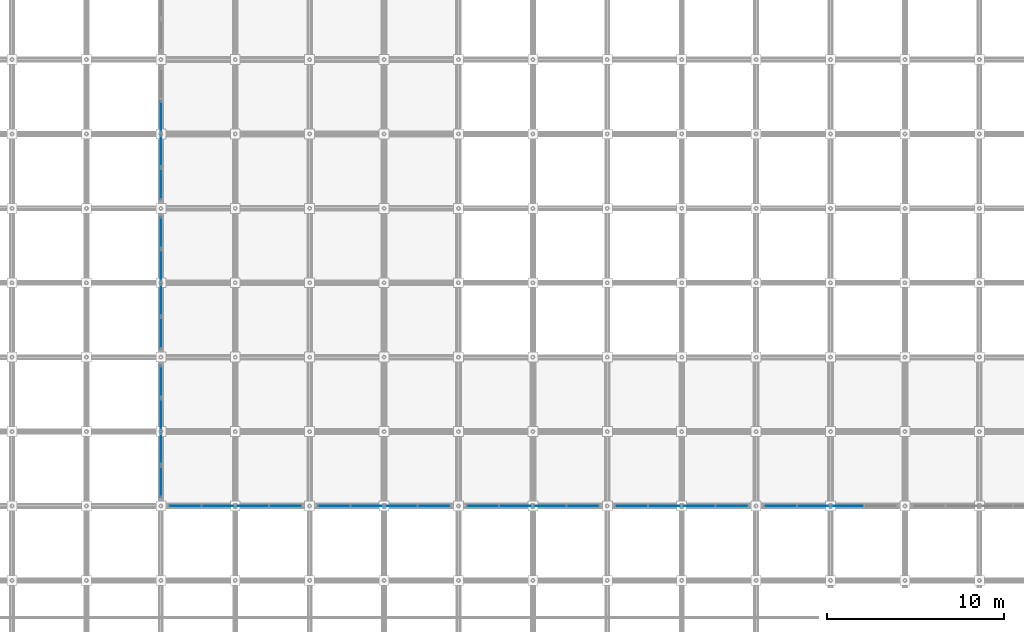
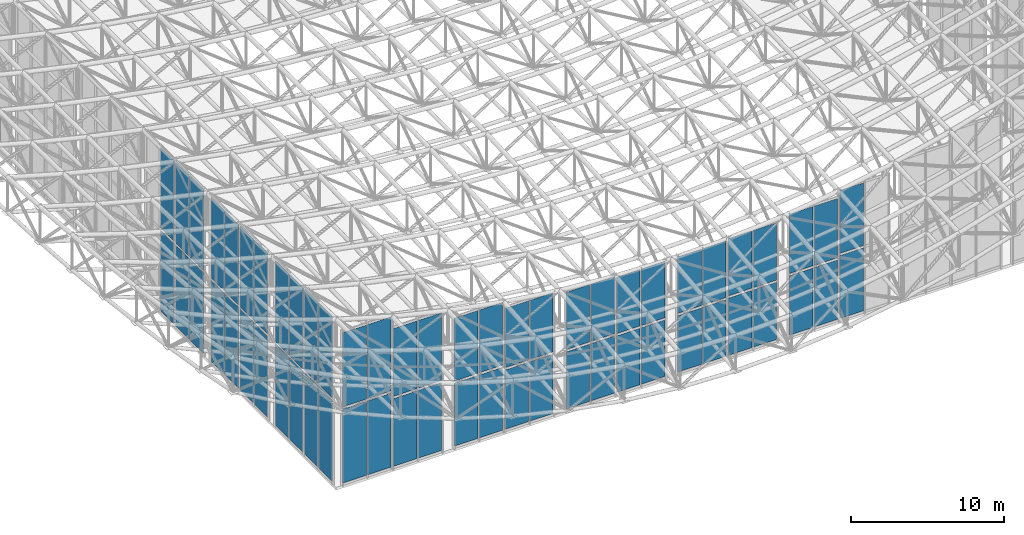
# One storey, part 59 of 93: 60 plates, 16 elements without a shape of their own.
"""IFC4 building model written with IfcOpenShell, lengths in metres."""

from ifc_helpers import new_model, si_unit, direction, frame, origin, origin_2d, place, context, subcontext, project, spatial, rectangle, extrude, material, layer, layer_set, type_object, element, aggregate, save


model = new_model("IFC4")

# Units and contexts
model_context = context("Model", 3, precision=1e-05, world=origin(), true_north=direction((0.0, 1.0)))
body_context = subcontext(model_context, "Body", "Model", "MODEL_VIEW")
ifc_project = project(units=[si_unit("LENGTHUNIT", "METRE"), si_unit("AREAUNIT", "SQUARE_METRE"), si_unit("VOLUMEUNIT", "CUBIC_METRE"), si_unit("PLANEANGLEUNIT", "RADIAN"), si_unit("MASSUNIT", "GRAM", prefix="KILO")], contexts=[model_context])

# Site, building, storey
site_placement = place(None, origin())
site = spatial("IfcSite", under=ifc_project, at=site_placement, CompositionType="ELEMENT")
building_placement = place(site_placement, origin())
building = spatial("IfcBuilding", under=site, at=building_placement, Name="Cumbredor Promenade Congress Hotel", CompositionType="ELEMENT")
storey_placement = place(building_placement, frame((0.0, 0.0, 21.840087890625)))
storey = spatial("IfcBuildingStorey", under=building, at=storey_placement, Name="L06", CompositionType="ELEMENT", Elevation=21.840087890625)

# Curtain wall, plates
ifc_material_1 = material(Name="Thermally broken anodized aluminium and low-E glass", Category="aluminium")
curtain_wall_type = type_object("IfcCurtainWallType", Name="Stepped Pavilion Clerestory Curtain Wall CW-06", PredefinedType="NOTDEFINED", material=ifc_material_1)
curtain_wall_1_placement = place(storey_placement, origin())
curtain_wall_1 = element("IfcCurtainWall", 1, at=curtain_wall_1_placement, inside=storey, type_object=curtain_wall_type, Name="Plenary Congress Hall S Glazed Clerestory 1", PredefinedType="NOTDEFINED")
ifc_material_2 = material(Name="Laminated low-E solar-control glass", Category="glass")
ifc_layer = layer(ifc_material_2, 0.031982421875, Name="Laminated low-E solar-control glass", Category="glass")
ifc_layer_set = layer_set([ifc_layer], Name="Laminated low-E solar-control glass")
plate_type = type_object("IfcPlateType", Name="Clerestory Glazed Vision Panel PNL-07", PredefinedType="CURTAIN_PANEL", material=ifc_layer_set)
plate_1_placement = place(storey_placement, frame((9.77001953125, 8.39990234375, 0.169921875), z_axis=(0.0, 0.0, 1.0), x_axis=(1.0, 0.0, 0.0)))
plate_1 = element("IfcPlate", 2, at=plate_1_placement, type_object=plate_type, Name="Plenary Congress Hall S Glazed Clerestory 1 Glazing Panel 1.1", PredefinedType="CURTAIN_PANEL", context=body_context, shape_type="SweptSolid", body=[
    extrude(rectangle(XDim=1.77490234375, YDim=0.031982421875, at=origin_2d()), origin(), (0.0, 0.0, 1.0), 5.8798828125),
])
plate_2_placement = place(storey_placement, frame((9.77001953125, 8.39990234375, 6.22998046875), z_axis=(0.0, 0.0, 1.0), x_axis=(1.0, 0.0, 0.0)))
plate_2 = element("IfcPlate", 3, at=plate_2_placement, type_object=plate_type, Name="Plenary Congress Hall S Glazed Clerestory 1 Glazing Panel 1.2", PredefinedType="CURTAIN_PANEL", context=body_context, shape_type="SweptSolid", body=[
    extrude(rectangle(XDim=1.77490234375, YDim=0.031982421875, at=origin_2d()), origin(), (0.0, 0.0, 1.0), 5.889892578125),
])
plate_3_placement = place(storey_placement, frame((11.6298828125, 8.39990234375, 0.169921875), z_axis=(0.0, 0.0, 1.0), x_axis=(1.0, 0.0, 0.0)))
plate_3 = element("IfcPlate", 4, at=plate_3_placement, type_object=plate_type, Name="Plenary Congress Hall S Glazed Clerestory 1 Glazing Panel 2.1", PredefinedType="CURTAIN_PANEL", context=body_context, shape_type="SweptSolid", body=[
    extrude(rectangle(XDim=1.77490234375, YDim=0.031982421875, at=origin_2d()), origin(), (0.0, 0.0, 1.0), 5.8798828125),
])
plate_4_placement = place(storey_placement, frame((11.6298828125, 8.39990234375, 6.22998046875), z_axis=(0.0, 0.0, 1.0), x_axis=(1.0, 0.0, 0.0)))
plate_4 = element("IfcPlate", 5, at=plate_4_placement, type_object=plate_type, Name="Plenary Congress Hall S Glazed Clerestory 1 Glazing Panel 2.2", PredefinedType="CURTAIN_PANEL", context=body_context, shape_type="SweptSolid", body=[
    extrude(rectangle(XDim=1.77490234375, YDim=0.031982421875, at=origin_2d()), origin(), (0.0, 0.0, 1.0), 5.889892578125),
])
aggregate(curtain_wall_1, [plate_1, plate_2, plate_3, plate_4])

curtain_wall_2_placement = place(storey_placement, origin())
curtain_wall_2 = element("IfcCurtainWall", 6, at=curtain_wall_2_placement, inside=storey, type_object=curtain_wall_type, Name="Plenary Congress Hall S Glazed Clerestory 2", PredefinedType="NOTDEFINED")
plate_5_placement = place(storey_placement, frame((13.570068359375, 8.39990234375, 0.169921875), z_axis=(0.0, 0.0, 1.0), x_axis=(1.0, 0.0, 0.0)))
plate_5 = element("IfcPlate", 7, at=plate_5_placement, type_object=plate_type, Name="Plenary Congress Hall S Glazed Clerestory 2 Glazing Panel 1.1", PredefinedType="CURTAIN_PANEL", context=body_context, shape_type="SweptSolid", body=[
    extrude(rectangle(XDim=1.77490234375, YDim=0.031982421875, at=origin_2d()), origin(), (0.0, 0.0, 1.0), 5.3798828125),
])
plate_6_placement = place(storey_placement, frame((13.570068359375, 8.39990234375, 5.72998046875), z_axis=(0.0, 0.0, 1.0), x_axis=(1.0, 0.0, 0.0)))
plate_6 = element("IfcPlate", 8, at=plate_6_placement, type_object=plate_type, Name="Plenary Congress Hall S Glazed Clerestory 2 Glazing Panel 1.2", PredefinedType="CURTAIN_PANEL", context=body_context, shape_type="SweptSolid", body=[
    extrude(rectangle(XDim=1.77490234375, YDim=0.031982421875, at=origin_2d()), origin(), (0.0, 0.0, 1.0), 5.389892578125),
])
plate_7_placement = place(storey_placement, frame((15.429931640625, 8.39990234375, 0.169921875), z_axis=(0.0, 0.0, 1.0), x_axis=(1.0, 0.0, 0.0)))
plate_7 = element("IfcPlate", 9, at=plate_7_placement, type_object=plate_type, Name="Plenary Congress Hall S Glazed Clerestory 2 Glazing Panel 2.1", PredefinedType="CURTAIN_PANEL", context=body_context, shape_type="SweptSolid", body=[
    extrude(rectangle(XDim=1.77490234375, YDim=0.031982421875, at=origin_2d()), origin(), (0.0, 0.0, 1.0), 5.3798828125),
])
plate_8_placement = place(storey_placement, frame((15.429931640625, 8.39990234375, 5.72998046875), z_axis=(0.0, 0.0, 1.0), x_axis=(1.0, 0.0, 0.0)))
plate_8 = element("IfcPlate", 10, at=plate_8_placement, type_object=plate_type, Name="Plenary Congress Hall S Glazed Clerestory 2 Glazing Panel 2.2", PredefinedType="CURTAIN_PANEL", context=body_context, shape_type="SweptSolid", body=[
    extrude(rectangle(XDim=1.77490234375, YDim=0.031982421875, at=origin_2d()), origin(), (0.0, 0.0, 1.0), 5.389892578125),
])
aggregate(curtain_wall_2, [plate_5, plate_6, plate_7, plate_8])

curtain_wall_3_placement = place(storey_placement, origin())
curtain_wall_3 = element("IfcCurtainWall", 11, at=curtain_wall_3_placement, inside=storey, type_object=curtain_wall_type, Name="Plenary Congress Hall S Glazed Clerestory 3", PredefinedType="NOTDEFINED")
plate_9_placement = place(storey_placement, frame((18.169921875, 8.39990234375, 0.169921875), z_axis=(0.0, 0.0, 1.0), x_axis=(1.0, 0.0, 0.0)))
plate_9 = element("IfcPlate", 12, at=plate_9_placement, type_object=plate_type, Name="Plenary Congress Hall S Glazed Clerestory 3 Glazing Panel 1.1", PredefinedType="CURTAIN_PANEL", context=body_context, shape_type="SweptSolid", body=[
    extrude(rectangle(XDim=1.77490234375, YDim=0.031982421875, at=origin_2d()), origin(), (0.0, 0.0, 1.0), 5.0),
])
plate_10_placement = place(storey_placement, frame((18.169921875, 8.39990234375, 5.35009765625), z_axis=(0.0, 0.0, 1.0), x_axis=(1.0, 0.0, 0.0)))
plate_10 = element("IfcPlate", 13, at=plate_10_placement, type_object=plate_type, Name="Plenary Congress Hall S Glazed Clerestory 3 Glazing Panel 1.2", PredefinedType="CURTAIN_PANEL", context=body_context, shape_type="SweptSolid", body=[
    extrude(rectangle(XDim=1.77490234375, YDim=0.031982421875, at=origin_2d()), origin(), (0.0, 0.0, 1.0), 4.989990234375),
])
plate_11_placement = place(storey_placement, frame((20.030029296875, 8.39990234375, 0.169921875), z_axis=(0.0, 0.0, 1.0), x_axis=(1.0, 0.0, 0.0)))
plate_11 = element("IfcPlate", 14, at=plate_11_placement, type_object=plate_type, Name="Plenary Congress Hall S Glazed Clerestory 3 Glazing Panel 2.1", PredefinedType="CURTAIN_PANEL", context=body_context, shape_type="SweptSolid", body=[
    extrude(rectangle(XDim=1.77490234375, YDim=0.031982421875, at=origin_2d()), origin(), (0.0, 0.0, 1.0), 5.0),
])
plate_12_placement = place(storey_placement, frame((20.030029296875, 8.39990234375, 5.35009765625), z_axis=(0.0, 0.0, 1.0), x_axis=(1.0, 0.0, 0.0)))
plate_12 = element("IfcPlate", 15, at=plate_12_placement, type_object=plate_type, Name="Plenary Congress Hall S Glazed Clerestory 3 Glazing Panel 2.2", PredefinedType="CURTAIN_PANEL", context=body_context, shape_type="SweptSolid", body=[
    extrude(rectangle(XDim=1.77490234375, YDim=0.031982421875, at=origin_2d()), origin(), (0.0, 0.0, 1.0), 4.989990234375),
])
aggregate(curtain_wall_3, [plate_9, plate_10, plate_11, plate_12])

curtain_wall_4_placement = place(storey_placement, origin())
curtain_wall_4 = element("IfcCurtainWall", 16, at=curtain_wall_4_placement, inside=storey, type_object=curtain_wall_type, Name="Plenary Congress Hall S Glazed Clerestory 4", PredefinedType="NOTDEFINED")
plate_13_placement = place(storey_placement, frame((21.969970703125, 8.39990234375, 0.169921875), z_axis=(0.0, 0.0, 1.0), x_axis=(1.0, 0.0, 0.0)))
plate_13 = element("IfcPlate", 17, at=plate_13_placement, type_object=plate_type, Name="Plenary Congress Hall S Glazed Clerestory 4 Glazing Panel 1.1", PredefinedType="CURTAIN_PANEL", context=body_context, shape_type="SweptSolid", body=[
    extrude(rectangle(XDim=1.77490234375, YDim=0.031982421875, at=origin_2d()), origin(), (0.0, 0.0, 1.0), 4.719970703125),
])
plate_14_placement = place(storey_placement, frame((21.969970703125, 8.39990234375, 5.06982421875), z_axis=(0.0, 0.0, 1.0), x_axis=(1.0, 0.0, 0.0)))
plate_14 = element("IfcPlate", 18, at=plate_14_placement, type_object=plate_type, Name="Plenary Congress Hall S Glazed Clerestory 4 Glazing Panel 1.2", PredefinedType="CURTAIN_PANEL", context=body_context, shape_type="SweptSolid", body=[
    extrude(rectangle(XDim=1.77490234375, YDim=0.031982421875, at=origin_2d()), origin(), (0.0, 0.0, 1.0), 4.7099609375),
])
plate_15_placement = place(storey_placement, frame((23.830078125, 8.39990234375, 0.169921875), z_axis=(0.0, 0.0, 1.0), x_axis=(1.0, 0.0, 0.0)))
plate_15 = element("IfcPlate", 19, at=plate_15_placement, type_object=plate_type, Name="Plenary Congress Hall S Glazed Clerestory 4 Glazing Panel 2.1", PredefinedType="CURTAIN_PANEL", context=body_context, shape_type="SweptSolid", body=[
    extrude(rectangle(XDim=1.77490234375, YDim=0.031982421875, at=origin_2d()), origin(), (0.0, 0.0, 1.0), 4.719970703125),
])
plate_16_placement = place(storey_placement, frame((23.830078125, 8.39990234375, 5.06982421875), z_axis=(0.0, 0.0, 1.0), x_axis=(1.0, 0.0, 0.0)))
plate_16 = element("IfcPlate", 20, at=plate_16_placement, type_object=plate_type, Name="Plenary Congress Hall S Glazed Clerestory 4 Glazing Panel 2.2", PredefinedType="CURTAIN_PANEL", context=body_context, shape_type="SweptSolid", body=[
    extrude(rectangle(XDim=1.77490234375, YDim=0.031982421875, at=origin_2d()), origin(), (0.0, 0.0, 1.0), 4.7099609375),
])
aggregate(curtain_wall_4, [plate_13, plate_14, plate_15, plate_16])

curtain_wall_5_placement = place(storey_placement, origin())
curtain_wall_5 = element("IfcCurtainWall", 21, at=curtain_wall_5_placement, inside=storey, type_object=curtain_wall_type, Name="Plenary Congress Hall S Glazed Clerestory 5", PredefinedType="NOTDEFINED")
plate_17_placement = place(storey_placement, frame((26.570068359375, 8.39990234375, 0.169921875), z_axis=(0.0, 0.0, 1.0), x_axis=(1.0, 0.0, 0.0)))
plate_17 = element("IfcPlate", 22, at=plate_17_placement, type_object=plate_type, Name="Plenary Congress Hall S Glazed Clerestory 5 Glazing Panel 1.1", PredefinedType="CURTAIN_PANEL", context=body_context, shape_type="SweptSolid", body=[
    extrude(rectangle(XDim=1.77490234375, YDim=0.031982421875, at=origin_2d()), origin(), (0.0, 0.0, 1.0), 4.550048828125),
])
plate_18_placement = place(storey_placement, frame((26.570068359375, 8.39990234375, 4.89990234375), z_axis=(0.0, 0.0, 1.0), x_axis=(1.0, 0.0, 0.0)))
plate_18 = element("IfcPlate", 23, at=plate_18_placement, type_object=plate_type, Name="Plenary Congress Hall S Glazed Clerestory 5 Glazing Panel 1.2", PredefinedType="CURTAIN_PANEL", context=body_context, shape_type="SweptSolid", body=[
    extrude(rectangle(XDim=1.77490234375, YDim=0.031982421875, at=origin_2d()), origin(), (0.0, 0.0, 1.0), 4.550048828125),
])
plate_19_placement = place(storey_placement, frame((28.429931640625, 8.39990234375, 0.169921875), z_axis=(0.0, 0.0, 1.0), x_axis=(1.0, 0.0, 0.0)))
plate_19 = element("IfcPlate", 24, at=plate_19_placement, type_object=plate_type, Name="Plenary Congress Hall S Glazed Clerestory 5 Glazing Panel 2.1", PredefinedType="CURTAIN_PANEL", context=body_context, shape_type="SweptSolid", body=[
    extrude(rectangle(XDim=1.77490234375, YDim=0.031982421875, at=origin_2d()), origin(), (0.0, 0.0, 1.0), 4.550048828125),
])
plate_20_placement = place(storey_placement, frame((28.429931640625, 8.39990234375, 4.89990234375), z_axis=(0.0, 0.0, 1.0), x_axis=(1.0, 0.0, 0.0)))
plate_20 = element("IfcPlate", 25, at=plate_20_placement, type_object=plate_type, Name="Plenary Congress Hall S Glazed Clerestory 5 Glazing Panel 2.2", PredefinedType="CURTAIN_PANEL", context=body_context, shape_type="SweptSolid", body=[
    extrude(rectangle(XDim=1.77490234375, YDim=0.031982421875, at=origin_2d()), origin(), (0.0, 0.0, 1.0), 4.550048828125),
])
aggregate(curtain_wall_5, [plate_17, plate_18, plate_19, plate_20])

curtain_wall_6_placement = place(storey_placement, origin())
curtain_wall_6 = element("IfcCurtainWall", 26, at=curtain_wall_6_placement, inside=storey, type_object=curtain_wall_type, Name="Plenary Congress Hall S Glazed Clerestory 6", PredefinedType="NOTDEFINED")
plate_21_placement = place(storey_placement, frame((30.3701171875, 8.39990234375, 0.169921875), z_axis=(0.0, 0.0, 1.0), x_axis=(1.0, 0.0, 0.0)))
plate_21 = element("IfcPlate", 27, at=plate_21_placement, type_object=plate_type, Name="Plenary Congress Hall S Glazed Clerestory 6 Glazing Panel 1.1", PredefinedType="CURTAIN_PANEL", context=body_context, shape_type="SweptSolid", body=[
    extrude(rectangle(XDim=1.77490234375, YDim=0.031982421875, at=origin_2d()), origin(), (0.0, 0.0, 1.0), 4.489990234375),
])
plate_22_placement = place(storey_placement, frame((30.3701171875, 8.39990234375, 4.83984375), z_axis=(0.0, 0.0, 1.0), x_axis=(1.0, 0.0, 0.0)))
plate_22 = element("IfcPlate", 28, at=plate_22_placement, type_object=plate_type, Name="Plenary Congress Hall S Glazed Clerestory 6 Glazing Panel 1.2", PredefinedType="CURTAIN_PANEL", context=body_context, shape_type="SweptSolid", body=[
    extrude(rectangle(XDim=1.77490234375, YDim=0.031982421875, at=origin_2d()), origin(), (0.0, 0.0, 1.0), 4.489990234375),
])
plate_23_placement = place(storey_placement, frame((32.22998046875, 8.39990234375, 0.169921875), z_axis=(0.0, 0.0, 1.0), x_axis=(1.0, 0.0, 0.0)))
plate_23 = element("IfcPlate", 29, at=plate_23_placement, type_object=plate_type, Name="Plenary Congress Hall S Glazed Clerestory 6 Glazing Panel 2.1", PredefinedType="CURTAIN_PANEL", context=body_context, shape_type="SweptSolid", body=[
    extrude(rectangle(XDim=1.77490234375, YDim=0.031982421875, at=origin_2d()), origin(), (0.0, 0.0, 1.0), 4.489990234375),
])
plate_24_placement = place(storey_placement, frame((32.22998046875, 8.39990234375, 4.83984375), z_axis=(0.0, 0.0, 1.0), x_axis=(1.0, 0.0, 0.0)))
plate_24 = element("IfcPlate", 30, at=plate_24_placement, type_object=plate_type, Name="Plenary Congress Hall S Glazed Clerestory 6 Glazing Panel 2.2", PredefinedType="CURTAIN_PANEL", context=body_context, shape_type="SweptSolid", body=[
    extrude(rectangle(XDim=1.77490234375, YDim=0.031982421875, at=origin_2d()), origin(), (0.0, 0.0, 1.0), 4.489990234375),
])
aggregate(curtain_wall_6, [plate_21, plate_22, plate_23, plate_24])

curtain_wall_7_placement = place(storey_placement, origin())
curtain_wall_7 = element("IfcCurtainWall", 31, at=curtain_wall_7_placement, inside=storey, type_object=curtain_wall_type, Name="Plenary Congress Hall S Glazed Clerestory 7", PredefinedType="NOTDEFINED")
plate_25_placement = place(storey_placement, frame((34.969970703125, 8.39990234375, 0.169921875), z_axis=(0.0, 0.0, 1.0), x_axis=(1.0, 0.0, 0.0)))
plate_25 = element("IfcPlate", 32, at=plate_25_placement, type_object=plate_type, Name="Plenary Congress Hall S Glazed Clerestory 7 Glazing Panel 1.1", PredefinedType="CURTAIN_PANEL", context=body_context, shape_type="SweptSolid", body=[
    extrude(rectangle(XDim=1.77490234375, YDim=0.031982421875, at=origin_2d()), origin(), (0.0, 0.0, 1.0), 4.489990234375),
])
plate_26_placement = place(storey_placement, frame((34.969970703125, 8.39990234375, 4.83984375), z_axis=(0.0, 0.0, 1.0), x_axis=(1.0, 0.0, 0.0)))
plate_26 = element("IfcPlate", 33, at=plate_26_placement, type_object=plate_type, Name="Plenary Congress Hall S Glazed Clerestory 7 Glazing Panel 1.2", PredefinedType="CURTAIN_PANEL", context=body_context, shape_type="SweptSolid", body=[
    extrude(rectangle(XDim=1.77490234375, YDim=0.031982421875, at=origin_2d()), origin(), (0.0, 0.0, 1.0), 4.489990234375),
])
plate_27_placement = place(storey_placement, frame((36.830078125, 8.39990234375, 0.169921875), z_axis=(0.0, 0.0, 1.0), x_axis=(1.0, 0.0, 0.0)))
plate_27 = element("IfcPlate", 34, at=plate_27_placement, type_object=plate_type, Name="Plenary Congress Hall S Glazed Clerestory 7 Glazing Panel 2.1", PredefinedType="CURTAIN_PANEL", context=body_context, shape_type="SweptSolid", body=[
    extrude(rectangle(XDim=1.77490234375, YDim=0.031982421875, at=origin_2d()), origin(), (0.0, 0.0, 1.0), 4.489990234375),
])
plate_28_placement = place(storey_placement, frame((36.830078125, 8.39990234375, 4.83984375), z_axis=(0.0, 0.0, 1.0), x_axis=(1.0, 0.0, 0.0)))
plate_28 = element("IfcPlate", 35, at=plate_28_placement, type_object=plate_type, Name="Plenary Congress Hall S Glazed Clerestory 7 Glazing Panel 2.2", PredefinedType="CURTAIN_PANEL", context=body_context, shape_type="SweptSolid", body=[
    extrude(rectangle(XDim=1.77490234375, YDim=0.031982421875, at=origin_2d()), origin(), (0.0, 0.0, 1.0), 4.489990234375),
])
aggregate(curtain_wall_7, [plate_25, plate_26, plate_27, plate_28])

curtain_wall_8_placement = place(storey_placement, origin())
curtain_wall_8 = element("IfcCurtainWall", 36, at=curtain_wall_8_placement, inside=storey, type_object=curtain_wall_type, Name="Plenary Congress Hall S Glazed Clerestory 8", PredefinedType="NOTDEFINED")
plate_29_placement = place(storey_placement, frame((38.77001953125, 8.39990234375, 0.169921875), z_axis=(0.0, 0.0, 1.0), x_axis=(1.0, 0.0, 0.0)))
plate_29 = element("IfcPlate", 37, at=plate_29_placement, type_object=plate_type, Name="Plenary Congress Hall S Glazed Clerestory 8 Glazing Panel 1.1", PredefinedType="CURTAIN_PANEL", context=body_context, shape_type="SweptSolid", body=[
    extrude(rectangle(XDim=1.77490234375, YDim=0.031982421875, at=origin_2d()), origin(), (0.0, 0.0, 1.0), 4.550048828125),
])
plate_30_placement = place(storey_placement, frame((38.77001953125, 8.39990234375, 4.89990234375), z_axis=(0.0, 0.0, 1.0), x_axis=(1.0, 0.0, 0.0)))
plate_30 = element("IfcPlate", 38, at=plate_30_placement, type_object=plate_type, Name="Plenary Congress Hall S Glazed Clerestory 8 Glazing Panel 1.2", PredefinedType="CURTAIN_PANEL", context=body_context, shape_type="SweptSolid", body=[
    extrude(rectangle(XDim=1.77490234375, YDim=0.031982421875, at=origin_2d()), origin(), (0.0, 0.0, 1.0), 4.550048828125),
])
plate_31_placement = place(storey_placement, frame((40.6298828125, 8.39990234375, 0.169921875), z_axis=(0.0, 0.0, 1.0), x_axis=(1.0, 0.0, 0.0)))
plate_31 = element("IfcPlate", 39, at=plate_31_placement, type_object=plate_type, Name="Plenary Congress Hall S Glazed Clerestory 8 Glazing Panel 2.1", PredefinedType="CURTAIN_PANEL", context=body_context, shape_type="SweptSolid", body=[
    extrude(rectangle(XDim=1.77490234375, YDim=0.031982421875, at=origin_2d()), origin(), (0.0, 0.0, 1.0), 4.550048828125),
])
plate_32_placement = place(storey_placement, frame((40.6298828125, 8.39990234375, 4.89990234375), z_axis=(0.0, 0.0, 1.0), x_axis=(1.0, 0.0, 0.0)))
plate_32 = element("IfcPlate", 40, at=plate_32_placement, type_object=plate_type, Name="Plenary Congress Hall S Glazed Clerestory 8 Glazing Panel 2.2", PredefinedType="CURTAIN_PANEL", context=body_context, shape_type="SweptSolid", body=[
    extrude(rectangle(XDim=1.77490234375, YDim=0.031982421875, at=origin_2d()), origin(), (0.0, 0.0, 1.0), 4.550048828125),
])
aggregate(curtain_wall_8, [plate_29, plate_30, plate_31, plate_32])

curtain_wall_9_placement = place(storey_placement, origin())
curtain_wall_9 = element("IfcCurtainWall", 41, at=curtain_wall_9_placement, inside=storey, type_object=curtain_wall_type, Name="Plenary Congress Hall S Glazed Clerestory 9", PredefinedType="NOTDEFINED")
plate_33_placement = place(storey_placement, frame((43.3701171875, 8.39990234375, 0.169921875), z_axis=(0.0, 0.0, 1.0), x_axis=(1.0, 0.0, 0.0)))
plate_33 = element("IfcPlate", 42, at=plate_33_placement, type_object=plate_type, Name="Plenary Congress Hall S Glazed Clerestory 9 Glazing Panel 1.1", PredefinedType="CURTAIN_PANEL", context=body_context, shape_type="SweptSolid", body=[
    extrude(rectangle(XDim=1.77490234375, YDim=0.031982421875, at=origin_2d()), origin(), (0.0, 0.0, 1.0), 4.719970703125),
])
plate_34_placement = place(storey_placement, frame((43.3701171875, 8.39990234375, 5.06982421875), z_axis=(0.0, 0.0, 1.0), x_axis=(1.0, 0.0, 0.0)))
plate_34 = element("IfcPlate", 43, at=plate_34_placement, type_object=plate_type, Name="Plenary Congress Hall S Glazed Clerestory 9 Glazing Panel 1.2", PredefinedType="CURTAIN_PANEL", context=body_context, shape_type="SweptSolid", body=[
    extrude(rectangle(XDim=1.77490234375, YDim=0.031982421875, at=origin_2d()), origin(), (0.0, 0.0, 1.0), 4.7099609375),
])
plate_35_placement = place(storey_placement, frame((45.22998046875, 8.39990234375, 0.169921875), z_axis=(0.0, 0.0, 1.0), x_axis=(1.0, 0.0, 0.0)))
plate_35 = element("IfcPlate", 44, at=plate_35_placement, type_object=plate_type, Name="Plenary Congress Hall S Glazed Clerestory 9 Glazing Panel 2.1", PredefinedType="CURTAIN_PANEL", context=body_context, shape_type="SweptSolid", body=[
    extrude(rectangle(XDim=1.77490234375, YDim=0.031982421875, at=origin_2d()), origin(), (0.0, 0.0, 1.0), 4.719970703125),
])
plate_36_placement = place(storey_placement, frame((45.22998046875, 8.39990234375, 5.06982421875), z_axis=(0.0, 0.0, 1.0), x_axis=(1.0, 0.0, 0.0)))
plate_36 = element("IfcPlate", 45, at=plate_36_placement, type_object=plate_type, Name="Plenary Congress Hall S Glazed Clerestory 9 Glazing Panel 2.2", PredefinedType="CURTAIN_PANEL", context=body_context, shape_type="SweptSolid", body=[
    extrude(rectangle(XDim=1.77490234375, YDim=0.031982421875, at=origin_2d()), origin(), (0.0, 0.0, 1.0), 4.7099609375),
])
aggregate(curtain_wall_9, [plate_33, plate_34, plate_35, plate_36])

curtain_wall_10_placement = place(storey_placement, origin())
curtain_wall_10 = element("IfcCurtainWall", 46, at=curtain_wall_10_placement, inside=storey, type_object=curtain_wall_type, Name="Plenary Congress Hall S Glazed Clerestory 10", PredefinedType="NOTDEFINED")
plate_37_placement = place(storey_placement, frame((47.169921875, 8.39990234375, 0.169921875), z_axis=(0.0, 0.0, 1.0), x_axis=(1.0, 0.0, 0.0)))
plate_37 = element("IfcPlate", 47, at=plate_37_placement, type_object=plate_type, Name="Plenary Congress Hall S Glazed Clerestory 10 Glazing Panel 1.1", PredefinedType="CURTAIN_PANEL", context=body_context, shape_type="SweptSolid", body=[
    extrude(rectangle(XDim=1.77490234375, YDim=0.031982421875, at=origin_2d()), origin(), (0.0, 0.0, 1.0), 5.0),
])
plate_38_placement = place(storey_placement, frame((47.169921875, 8.39990234375, 5.35009765625), z_axis=(0.0, 0.0, 1.0), x_axis=(1.0, 0.0, 0.0)))
plate_38 = element("IfcPlate", 48, at=plate_38_placement, type_object=plate_type, Name="Plenary Congress Hall S Glazed Clerestory 10 Glazing Panel 1.2", PredefinedType="CURTAIN_PANEL", context=body_context, shape_type="SweptSolid", body=[
    extrude(rectangle(XDim=1.77490234375, YDim=0.031982421875, at=origin_2d()), origin(), (0.0, 0.0, 1.0), 4.989990234375),
])
aggregate(curtain_wall_10, [plate_37, plate_38])

curtain_wall_11_placement = place(storey_placement, origin())
curtain_wall_11 = element("IfcCurtainWall", 49, at=curtain_wall_11_placement, inside=storey, type_object=curtain_wall_type, Name="Plenary Congress Hall W Glazed Clerestory 1", PredefinedType="NOTDEFINED")
plate_39_placement = place(storey_placement, frame((8.39990234375, 9.77001953125, 0.169921875), z_axis=(0.0, 0.0, 1.0), x_axis=(0.0, 1.0, 0.0)))
plate_39 = element("IfcPlate", 50, at=plate_39_placement, type_object=plate_type, Name="Plenary Congress Hall W Glazed Clerestory 1 Glazing Panel 1.1", PredefinedType="CURTAIN_PANEL", context=body_context, shape_type="SweptSolid", body=[
    extrude(rectangle(XDim=1.77490234375, YDim=0.031982421875, at=origin_2d()), origin(), (0.0, 0.0, 1.0), 6.469970703125),
])
plate_40_placement = place(storey_placement, frame((8.39990234375, 9.77001953125, 6.81982421875), z_axis=(0.0, 0.0, 1.0), x_axis=(0.0, 1.0, 0.0)))
plate_40 = element("IfcPlate", 51, at=plate_40_placement, type_object=plate_type, Name="Plenary Congress Hall W Glazed Clerestory 1 Glazing Panel 1.2", PredefinedType="CURTAIN_PANEL", context=body_context, shape_type="SweptSolid", body=[
    extrude(rectangle(XDim=1.77490234375, YDim=0.031982421875, at=origin_2d()), origin(), (0.0, 0.0, 1.0), 6.47998046875),
])
plate_41_placement = place(storey_placement, frame((8.39990234375, 11.6298828125, 0.169921875), z_axis=(0.0, 0.0, 1.0), x_axis=(0.0, 1.0, 0.0)))
plate_41 = element("IfcPlate", 52, at=plate_41_placement, type_object=plate_type, Name="Plenary Congress Hall W Glazed Clerestory 1 Glazing Panel 2.1", PredefinedType="CURTAIN_PANEL", context=body_context, shape_type="SweptSolid", body=[
    extrude(rectangle(XDim=1.77490234375, YDim=0.031982421875, at=origin_2d()), origin(), (0.0, 0.0, 1.0), 6.469970703125),
])
plate_42_placement = place(storey_placement, frame((8.39990234375, 11.6298828125, 6.81982421875), z_axis=(0.0, 0.0, 1.0), x_axis=(0.0, 1.0, 0.0)))
plate_42 = element("IfcPlate", 53, at=plate_42_placement, type_object=plate_type, Name="Plenary Congress Hall W Glazed Clerestory 1 Glazing Panel 2.2", PredefinedType="CURTAIN_PANEL", context=body_context, shape_type="SweptSolid", body=[
    extrude(rectangle(XDim=1.77490234375, YDim=0.031982421875, at=origin_2d()), origin(), (0.0, 0.0, 1.0), 6.47998046875),
])
aggregate(curtain_wall_11, [plate_39, plate_40, plate_41, plate_42])

curtain_wall_12_placement = place(storey_placement, origin())
curtain_wall_12 = element("IfcCurtainWall", 54, at=curtain_wall_12_placement, inside=storey, type_object=curtain_wall_type, Name="Plenary Congress Hall W Glazed Clerestory 2", PredefinedType="NOTDEFINED")
plate_43_placement = place(storey_placement, frame((8.39990234375, 13.570068359375, 0.169921875), z_axis=(0.0, 0.0, 1.0), x_axis=(0.0, 1.0, 0.0)))
plate_43 = element("IfcPlate", 55, at=plate_43_placement, type_object=plate_type, Name="Plenary Congress Hall W Glazed Clerestory 2 Glazing Panel 1.1", PredefinedType="CURTAIN_PANEL", context=body_context, shape_type="SweptSolid", body=[
    extrude(rectangle(XDim=1.77490234375, YDim=0.031982421875, at=origin_2d()), origin(), (0.0, 0.0, 1.0), 6.449951171875),
])
plate_44_placement = place(storey_placement, frame((8.39990234375, 13.570068359375, 6.800048828125), z_axis=(0.0, 0.0, 1.0), x_axis=(0.0, 1.0, 0.0)))
plate_44 = element("IfcPlate", 56, at=plate_44_placement, type_object=plate_type, Name="Plenary Congress Hall W Glazed Clerestory 2 Glazing Panel 1.2", PredefinedType="CURTAIN_PANEL", context=body_context, shape_type="SweptSolid", body=[
    extrude(rectangle(XDim=1.77490234375, YDim=0.031982421875, at=origin_2d()), origin(), (0.0, 0.0, 1.0), 6.4599609375),
])
plate_45_placement = place(storey_placement, frame((8.39990234375, 15.429931640625, 0.169921875), z_axis=(0.0, 0.0, 1.0), x_axis=(0.0, 1.0, 0.0)))
plate_45 = element("IfcPlate", 57, at=plate_45_placement, type_object=plate_type, Name="Plenary Congress Hall W Glazed Clerestory 2 Glazing Panel 2.1", PredefinedType="CURTAIN_PANEL", context=body_context, shape_type="SweptSolid", body=[
    extrude(rectangle(XDim=1.77490234375, YDim=0.031982421875, at=origin_2d()), origin(), (0.0, 0.0, 1.0), 6.449951171875),
])
plate_46_placement = place(storey_placement, frame((8.39990234375, 15.429931640625, 6.800048828125), z_axis=(0.0, 0.0, 1.0), x_axis=(0.0, 1.0, 0.0)))
plate_46 = element("IfcPlate", 58, at=plate_46_placement, type_object=plate_type, Name="Plenary Congress Hall W Glazed Clerestory 2 Glazing Panel 2.2", PredefinedType="CURTAIN_PANEL", context=body_context, shape_type="SweptSolid", body=[
    extrude(rectangle(XDim=1.77490234375, YDim=0.031982421875, at=origin_2d()), origin(), (0.0, 0.0, 1.0), 6.4599609375),
])
aggregate(curtain_wall_12, [plate_43, plate_44, plate_45, plate_46])

curtain_wall_13_placement = place(storey_placement, origin())
curtain_wall_13 = element("IfcCurtainWall", 59, at=curtain_wall_13_placement, inside=storey, type_object=curtain_wall_type, Name="Plenary Congress Hall W Glazed Clerestory 3", PredefinedType="NOTDEFINED")
plate_47_placement = place(storey_placement, frame((8.39990234375, 18.169921875, 0.169921875), z_axis=(0.0, 0.0, 1.0), x_axis=(0.0, 1.0, 0.0)))
plate_47 = element("IfcPlate", 60, at=plate_47_placement, type_object=plate_type, Name="Plenary Congress Hall W Glazed Clerestory 3 Glazing Panel 1.1", PredefinedType="CURTAIN_PANEL", context=body_context, shape_type="SweptSolid", body=[
    extrude(rectangle(XDim=1.77490234375, YDim=0.031982421875, at=origin_2d()), origin(), (0.0, 0.0, 1.0), 6.43994140625),
])
plate_48_placement = place(storey_placement, frame((8.39990234375, 18.169921875, 6.7900390625), z_axis=(0.0, 0.0, 1.0), x_axis=(0.0, 1.0, 0.0)))
plate_48 = element("IfcPlate", 61, at=plate_48_placement, type_object=plate_type, Name="Plenary Congress Hall W Glazed Clerestory 3 Glazing Panel 1.2", PredefinedType="CURTAIN_PANEL", context=body_context, shape_type="SweptSolid", body=[
    extrude(rectangle(XDim=1.77490234375, YDim=0.031982421875, at=origin_2d()), origin(), (0.0, 0.0, 1.0), 6.43994140625),
])
plate_49_placement = place(storey_placement, frame((8.39990234375, 20.030029296875, 0.169921875), z_axis=(0.0, 0.0, 1.0), x_axis=(0.0, 1.0, 0.0)))
plate_49 = element("IfcPlate", 62, at=plate_49_placement, type_object=plate_type, Name="Plenary Congress Hall W Glazed Clerestory 3 Glazing Panel 2.1", PredefinedType="CURTAIN_PANEL", context=body_context, shape_type="SweptSolid", body=[
    extrude(rectangle(XDim=1.77490234375, YDim=0.031982421875, at=origin_2d()), origin(), (0.0, 0.0, 1.0), 6.43994140625),
])
plate_50_placement = place(storey_placement, frame((8.39990234375, 20.030029296875, 6.7900390625), z_axis=(0.0, 0.0, 1.0), x_axis=(0.0, 1.0, 0.0)))
plate_50 = element("IfcPlate", 63, at=plate_50_placement, type_object=plate_type, Name="Plenary Congress Hall W Glazed Clerestory 3 Glazing Panel 2.2", PredefinedType="CURTAIN_PANEL", context=body_context, shape_type="SweptSolid", body=[
    extrude(rectangle(XDim=1.77490234375, YDim=0.031982421875, at=origin_2d()), origin(), (0.0, 0.0, 1.0), 6.43994140625),
])
aggregate(curtain_wall_13, [plate_47, plate_48, plate_49, plate_50])

curtain_wall_14_placement = place(storey_placement, origin())
curtain_wall_14 = element("IfcCurtainWall", 64, at=curtain_wall_14_placement, inside=storey, type_object=curtain_wall_type, Name="Plenary Congress Hall W Glazed Clerestory 4", PredefinedType="NOTDEFINED")
plate_51_placement = place(storey_placement, frame((8.39990234375, 21.969970703125, 0.169921875), z_axis=(0.0, 0.0, 1.0), x_axis=(0.0, 1.0, 0.0)))
plate_51 = element("IfcPlate", 65, at=plate_51_placement, type_object=plate_type, Name="Plenary Congress Hall W Glazed Clerestory 4 Glazing Panel 1.1", PredefinedType="CURTAIN_PANEL", context=body_context, shape_type="SweptSolid", body=[
    extrude(rectangle(XDim=1.77490234375, YDim=0.031982421875, at=origin_2d()), origin(), (0.0, 0.0, 1.0), 6.429931640625),
])
plate_52_placement = place(storey_placement, frame((8.39990234375, 21.969970703125, 6.780029296875), z_axis=(0.0, 0.0, 1.0), x_axis=(0.0, 1.0, 0.0)))
plate_52 = element("IfcPlate", 66, at=plate_52_placement, type_object=plate_type, Name="Plenary Congress Hall W Glazed Clerestory 4 Glazing Panel 1.2", PredefinedType="CURTAIN_PANEL", context=body_context, shape_type="SweptSolid", body=[
    extrude(rectangle(XDim=1.77490234375, YDim=0.031982421875, at=origin_2d()), origin(), (0.0, 0.0, 1.0), 6.419921875),
])
plate_53_placement = place(storey_placement, frame((8.39990234375, 23.830078125, 0.169921875), z_axis=(0.0, 0.0, 1.0), x_axis=(0.0, 1.0, 0.0)))
plate_53 = element("IfcPlate", 67, at=plate_53_placement, type_object=plate_type, Name="Plenary Congress Hall W Glazed Clerestory 4 Glazing Panel 2.1", PredefinedType="CURTAIN_PANEL", context=body_context, shape_type="SweptSolid", body=[
    extrude(rectangle(XDim=1.77490234375, YDim=0.031982421875, at=origin_2d()), origin(), (0.0, 0.0, 1.0), 6.429931640625),
])
plate_54_placement = place(storey_placement, frame((8.39990234375, 23.830078125, 6.780029296875), z_axis=(0.0, 0.0, 1.0), x_axis=(0.0, 1.0, 0.0)))
plate_54 = element("IfcPlate", 68, at=plate_54_placement, type_object=plate_type, Name="Plenary Congress Hall W Glazed Clerestory 4 Glazing Panel 2.2", PredefinedType="CURTAIN_PANEL", context=body_context, shape_type="SweptSolid", body=[
    extrude(rectangle(XDim=1.77490234375, YDim=0.031982421875, at=origin_2d()), origin(), (0.0, 0.0, 1.0), 6.419921875),
])
aggregate(curtain_wall_14, [plate_51, plate_52, plate_53, plate_54])

curtain_wall_15_placement = place(storey_placement, origin())
curtain_wall_15 = element("IfcCurtainWall", 69, at=curtain_wall_15_placement, inside=storey, type_object=curtain_wall_type, Name="Plenary Congress Hall W Glazed Clerestory 5", PredefinedType="NOTDEFINED")
plate_55_placement = place(storey_placement, frame((8.39990234375, 26.570068359375, 0.169921875), z_axis=(0.0, 0.0, 1.0), x_axis=(0.0, 1.0, 0.0)))
plate_55 = element("IfcPlate", 70, at=plate_55_placement, type_object=plate_type, Name="Plenary Congress Hall W Glazed Clerestory 5 Glazing Panel 1.1", PredefinedType="CURTAIN_PANEL", context=body_context, shape_type="SweptSolid", body=[
    extrude(rectangle(XDim=1.77490234375, YDim=0.031982421875, at=origin_2d()), origin(), (0.0, 0.0, 1.0), 6.419921875),
])
plate_56_placement = place(storey_placement, frame((8.39990234375, 26.570068359375, 6.77001953125), z_axis=(0.0, 0.0, 1.0), x_axis=(0.0, 1.0, 0.0)))
plate_56 = element("IfcPlate", 71, at=plate_56_placement, type_object=plate_type, Name="Plenary Congress Hall W Glazed Clerestory 5 Glazing Panel 1.2", PredefinedType="CURTAIN_PANEL", context=body_context, shape_type="SweptSolid", body=[
    extrude(rectangle(XDim=1.77490234375, YDim=0.031982421875, at=origin_2d()), origin(), (0.0, 0.0, 1.0), 6.419921875),
])
plate_57_placement = place(storey_placement, frame((8.39990234375, 28.429931640625, 0.169921875), z_axis=(0.0, 0.0, 1.0), x_axis=(0.0, 1.0, 0.0)))
plate_57 = element("IfcPlate", 72, at=plate_57_placement, type_object=plate_type, Name="Plenary Congress Hall W Glazed Clerestory 5 Glazing Panel 2.1", PredefinedType="CURTAIN_PANEL", context=body_context, shape_type="SweptSolid", body=[
    extrude(rectangle(XDim=1.77490234375, YDim=0.031982421875, at=origin_2d()), origin(), (0.0, 0.0, 1.0), 6.419921875),
])
plate_58_placement = place(storey_placement, frame((8.39990234375, 28.429931640625, 6.77001953125), z_axis=(0.0, 0.0, 1.0), x_axis=(0.0, 1.0, 0.0)))
plate_58 = element("IfcPlate", 73, at=plate_58_placement, type_object=plate_type, Name="Plenary Congress Hall W Glazed Clerestory 5 Glazing Panel 2.2", PredefinedType="CURTAIN_PANEL", context=body_context, shape_type="SweptSolid", body=[
    extrude(rectangle(XDim=1.77490234375, YDim=0.031982421875, at=origin_2d()), origin(), (0.0, 0.0, 1.0), 6.419921875),
])
aggregate(curtain_wall_15, [plate_55, plate_56, plate_57, plate_58])

curtain_wall_16_placement = place(storey_placement, origin())
curtain_wall_16 = element("IfcCurtainWall", 74, at=curtain_wall_16_placement, inside=storey, type_object=curtain_wall_type, Name="Plenary Congress Hall W Glazed Clerestory 6", PredefinedType="NOTDEFINED")
plate_59_placement = place(storey_placement, frame((8.39990234375, 30.3701171875, 0.169921875), z_axis=(0.0, 0.0, 1.0), x_axis=(0.0, 1.0, 0.0)))
plate_59 = element("IfcPlate", 75, at=plate_59_placement, type_object=plate_type, Name="Plenary Congress Hall W Glazed Clerestory 6 Glazing Panel 1.1", PredefinedType="CURTAIN_PANEL", context=body_context, shape_type="SweptSolid", body=[
    extrude(rectangle(XDim=1.77490234375, YDim=0.031982421875, at=origin_2d()), origin(), (0.0, 0.0, 1.0), 6.419921875),
])
plate_60_placement = place(storey_placement, frame((8.39990234375, 30.3701171875, 6.77001953125), z_axis=(0.0, 0.0, 1.0), x_axis=(0.0, 1.0, 0.0)))
plate_60 = element("IfcPlate", 76, at=plate_60_placement, type_object=plate_type, Name="Plenary Congress Hall W Glazed Clerestory 6 Glazing Panel 1.2", PredefinedType="CURTAIN_PANEL", context=body_context, shape_type="SweptSolid", body=[
    extrude(rectangle(XDim=1.77490234375, YDim=0.031982421875, at=origin_2d()), origin(), (0.0, 0.0, 1.0), 6.409912109375),
])
aggregate(curtain_wall_16, [plate_59, plate_60])

save(model, "model.ifc")
